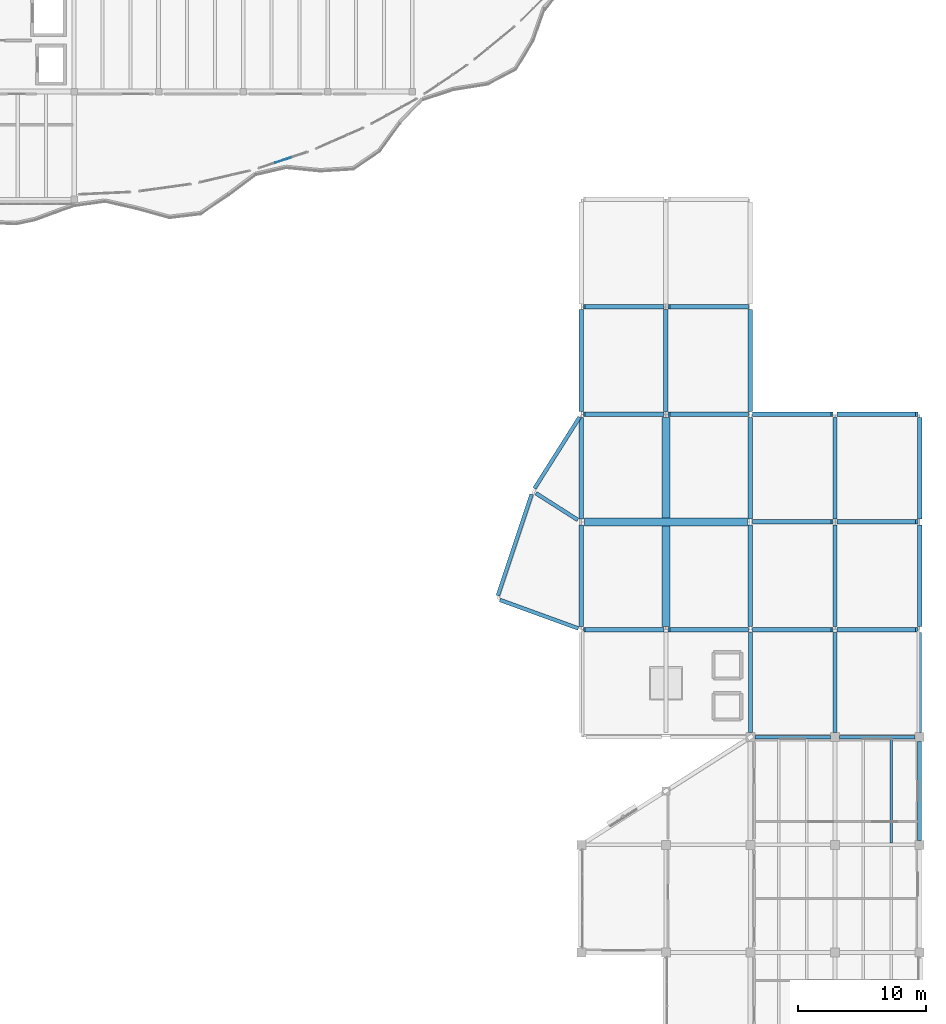
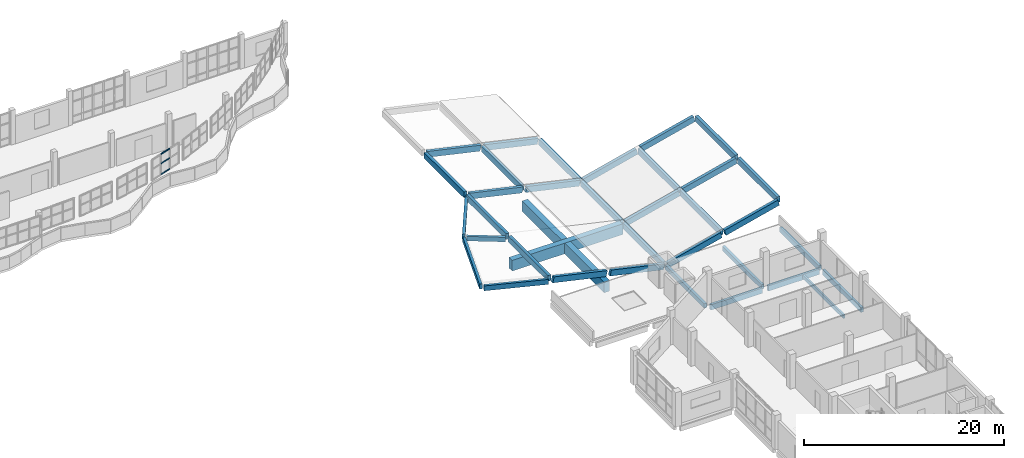
# One storey, part 20 of 47: 36 beams, 3 members, 1 element without a shape of its own.
"""IFC4 building model written with IfcOpenShell, lengths in metres."""

from ifc_helpers import new_model, si_unit, direction, frame, origin, origin_2d, place, context, subcontext, project, spatial, rectangle, extrude, material, material_profile, profile_set, type_object, element, aggregate, save


model = new_model("IFC4")

# Units and contexts
model_context = context("Model", 3, precision=1e-05, world=origin(), true_north=direction((0.0, 1.0)))
body_context = subcontext(model_context, "Body", "Model", "MODEL_VIEW")
ifc_project = project(units=[si_unit("LENGTHUNIT", "METRE"), si_unit("AREAUNIT", "SQUARE_METRE"), si_unit("VOLUMEUNIT", "CUBIC_METRE"), si_unit("PLANEANGLEUNIT", "RADIAN"), si_unit("MASSUNIT", "GRAM", prefix="KILO")], contexts=[model_context])

# Site, building, storey
site_placement = place(None, origin())
site = spatial("IfcSite", under=ifc_project, at=site_placement, CompositionType="ELEMENT")
building_placement = place(site_placement, origin())
building = spatial("IfcBuilding", under=site, at=building_placement, Name="Qaldarim Faculty of Natural and Applied Sciences", CompositionType="ELEMENT")
storey_placement = place(building_placement, frame((0.0, 0.0, 22.800048828125)))
storey = spatial("IfcBuildingStorey", under=building, at=storey_placement, Name="L05", CompositionType="ELEMENT", Elevation=22.800048828125)

# Beams
ifc_material_1 = material(Name="Concrete C40/50", Category="concrete")
ifc_material_profile_1 = material_profile(ifc_material_1, rectangle(XDim=0.300048828125, YDim=0.550048828125, at=origin_2d()), Name="RC-B300x550")
ifc_profile_set_1 = profile_set([ifc_material_profile_1], Name="Concrete C40/50")
beam_type_1 = type_object("IfcBeamType", Name="FloorBeam-RC300x550", PredefinedType="BEAM", material=ifc_profile_set_1)
for number, where, z_axis, x_axis, name in (
    (1, (165.0, 59.14990234375, -0.53515625), (0.0, 1.0, 0.0), (-1.0, 0.0, 0.0), "Beam RC-B300x550 L04 X26/Y08-Y09"),
    (2, (171.60009765625, 59.14990234375, -0.53515625), (0.0, 1.0, 0.0), (-1.0, 0.0, 0.0), "Beam RC-B300x550 L04 X27/Y08-Y09"),
):
    element("IfcBeam", number, at=place(storey_placement, frame(where, z_axis=z_axis, x_axis=x_axis)), inside=storey, type_object=beam_type_1, Name=name, PredefinedType="BEAM", context=body_context, shape_type="SweptSolid", body=[
        extrude(rectangle(XDim=0.300048828125, YDim=0.550048828125, at=origin_2d()), origin(), (0.0, 0.0, 1.0), 7.8251953125),
    ])
beam_1_placement = place(storey_placement, frame((148.260009765625, 77.840087890625, 2.264892578125), z_axis=(0.843013576654, -0.537892284363, 0.0), x_axis=(0.537892284363, 0.843013576654, 0.0)))
element("IfcBeam", 3, at=beam_1_placement, inside=storey, type_object=beam_type_1, Name="Learning Commons gallery prow roof tie rafter L05", PredefinedType="BEAM", context=body_context, shape_type="SweptSolid", body=[
    extrude(rectangle(XDim=0.300048828125, YDim=0.550048828125, at=origin_2d()), origin(), (0.0, 0.0, 1.0), 3.8671875),
])
ifc_material_profile_2 = material_profile(ifc_material_1, rectangle(XDim=0.199951171875, YDim=0.449951171875, at=origin_2d()), Name="RC-J200x450")
ifc_profile_set_2 = profile_set([ifc_material_profile_2], Name="Concrete C40/50")
beam_type_2 = type_object("IfcBeamType", Name="LabJoist-RC200x450", PredefinedType="JOIST", material=ifc_profile_set_2)
beam_2_placement = place(storey_placement, frame((176.0, 50.550048828125, -0.485107421875), z_axis=(0.0, 1.0, 0.0), x_axis=(-1.0, 0.0, 0.0)))
element("IfcBeam", 4, at=beam_2_placement, inside=storey, type_object=beam_type_2, Name="Laboratory joist L04 bay X27Y07-2", PredefinedType="JOIST", context=body_context, shape_type="SweptSolid", body=[
    extrude(rectangle(XDim=0.199951171875, YDim=0.449951171875, at=origin_2d()), origin(), (0.0, 0.0, 1.0), 8.099853515625),
])
ifc_material_profile_3 = material_profile(ifc_material_1, rectangle(XDim=0.300048828125, YDim=0.64990234375, at=origin_2d()), Name="RC-B300x650")
ifc_profile_set_3 = profile_set([ifc_material_profile_3], Name="Concrete C40/50")
beam_type_3 = type_object("IfcBeamType", Name="PrimaryBeam-RC300x650", PredefinedType="BEAM", material=ifc_profile_set_3)
beam_3_placement = place(storey_placement, frame((165.35009765625, 58.800048828125, -0.5849609375), z_axis=(1.0, 0.0, 0.0), x_axis=(0.0, 1.0, 0.0)))
element("IfcBeam", 5, at=beam_3_placement, inside=storey, type_object=beam_type_3, Name="Beam RC-B300x650 L04 X26-X27/Y08", PredefinedType="BEAM", context=body_context, shape_type="SweptSolid", body=[
    extrude(rectangle(XDim=0.300048828125, YDim=0.64990234375, at=origin_2d()), origin(), (0.0, 0.0, 1.0), 5.89990234375),
])
beam_4_placement = place(storey_placement, frame((171.949951171875, 58.800048828125, -0.5849609375), z_axis=(1.0, 0.0, 0.0), x_axis=(0.0, 1.0, 0.0)))
element("IfcBeam", 6, at=beam_4_placement, inside=storey, type_object=beam_type_3, Name="Beam RC-B300x650 L04 X27-X28/Y08", PredefinedType="BEAM", context=body_context, shape_type="SweptSolid", body=[
    extrude(rectangle(XDim=0.300048828125, YDim=0.64990234375, at=origin_2d()), origin(), (0.0, 0.0, 1.0), 5.900146484375),
])
ifc_material_profile_4 = material_profile(ifc_material_1, rectangle(XDim=0.35009765625, YDim=0.699951171875, at=origin_2d()), Name="RC-B350x700")
ifc_profile_set_4 = profile_set([ifc_material_profile_4], Name="Concrete C40/50")
beam_type_4 = type_object("IfcBeamType", Name="PrimaryGirder-RC350x700", PredefinedType="BEAM", material=ifc_profile_set_4)
beam_5_placement = place(storey_placement, frame((152.02490234375, 67.199951171875, 2.3798828125), z_axis=(0.975568062803, 0.0, -0.219697416549), x_axis=(0.0, 1.0, 0.0)))
element("IfcBeam", 7, at=beam_5_placement, inside=storey, type_object=beam_type_4, Name="Commons folded roof rafter X24-X25/Y09", PredefinedType="BEAM", context=body_context, shape_type="SweptSolid", body=[
    extrude(rectangle(XDim=0.35009765625, YDim=0.699951171875, at=origin_2d()), origin(), (0.0, 0.0, 1.0), 6.30419921875),
])
beam_6_placement = place(storey_placement, frame((158.625, 67.199951171875, 0.89501953125), z_axis=(0.97556619347, 0.0, -0.219705717172), x_axis=(0.0, 1.0, 0.0)))
element("IfcBeam", 8, at=beam_6_placement, inside=storey, type_object=beam_type_4, Name="Commons folded roof rafter X25-X26/Y09", PredefinedType="BEAM", context=body_context, shape_type="SweptSolid", body=[
    extrude(rectangle(XDim=0.35009765625, YDim=0.699951171875, at=origin_2d()), origin(), (0.0, 0.0, 1.0), 6.303955078125),
])
beam_7_placement = place(storey_placement, frame((165.22509765625, 67.199951171875, -0.485107421875), z_axis=(0.970047285074, 0.0, 0.242916168092), x_axis=(0.0, 1.0, 0.0)))
element("IfcBeam", 9, at=beam_7_placement, inside=storey, type_object=beam_type_4, Name="Commons folded roof rafter X26-X27/Y09", PredefinedType="BEAM", context=body_context, shape_type="SweptSolid", body=[
    extrude(rectangle(XDim=0.35009765625, YDim=0.699951171875, at=origin_2d()), origin(), (0.0, 0.0, 1.0), 6.33984375),
])
beam_8_placement = place(storey_placement, frame((171.824951171875, 67.199951171875, 1.1650390625), z_axis=(0.97005863038, 0.0, 0.242870857918), x_axis=(0.0, 1.0, 0.0)))
element("IfcBeam", 10, at=beam_8_placement, inside=storey, type_object=beam_type_4, Name="Commons folded roof rafter X27-X28/Y09", PredefinedType="BEAM", context=body_context, shape_type="SweptSolid", body=[
    extrude(rectangle(XDim=0.35009765625, YDim=0.699951171875, at=origin_2d()), origin(), (0.0, 0.0, 1.0), 6.340087890625),
])
beam_9_placement = place(storey_placement, frame((165.22509765625, 75.60009765625, -0.485107421875), z_axis=(0.970047285074, 0.0, 0.242916168092), x_axis=(0.0, 1.0, 0.0)))
element("IfcBeam", 11, at=beam_9_placement, inside=storey, type_object=beam_type_4, Name="Commons folded roof rafter X26-X27/Y10", PredefinedType="BEAM", context=body_context, shape_type="SweptSolid", body=[
    extrude(rectangle(XDim=0.35009765625, YDim=0.699951171875, at=origin_2d()), origin(), (0.0, 0.0, 1.0), 6.33984375),
])
beam_10_placement = place(storey_placement, frame((171.824951171875, 75.60009765625, 1.1650390625), z_axis=(0.97005863038, 0.0, 0.242870857918), x_axis=(0.0, 1.0, 0.0)))
element("IfcBeam", 12, at=beam_10_placement, inside=storey, type_object=beam_type_4, Name="Commons folded roof rafter X27-X28/Y10", PredefinedType="BEAM", context=body_context, shape_type="SweptSolid", body=[
    extrude(rectangle(XDim=0.35009765625, YDim=0.699951171875, at=origin_2d()), origin(), (0.0, 0.0, 1.0), 6.340087890625),
])
beam_11_placement = place(storey_placement, frame((152.02490234375, 84.0, 2.3798828125), z_axis=(0.975568062803, 0.0, -0.219697416549), x_axis=(0.0, 1.0, 0.0)))
element("IfcBeam", 13, at=beam_11_placement, inside=storey, type_object=beam_type_4, Name="Commons folded roof rafter X24-X25/Y11", PredefinedType="BEAM", context=body_context, shape_type="SweptSolid", body=[
    extrude(rectangle(XDim=0.35009765625, YDim=0.699951171875, at=origin_2d()), origin(), (0.0, 0.0, 1.0), 6.30419921875),
])
beam_12_placement = place(storey_placement, frame((158.625, 84.0, 0.89501953125), z_axis=(0.97556619347, 0.0, -0.219705717172), x_axis=(0.0, 1.0, 0.0)))
element("IfcBeam", 14, at=beam_12_placement, inside=storey, type_object=beam_type_4, Name="Commons folded roof rafter X25-X26/Y11", PredefinedType="BEAM", context=body_context, shape_type="SweptSolid", body=[
    extrude(rectangle(XDim=0.35009765625, YDim=0.699951171875, at=origin_2d()), origin(), (0.0, 0.0, 1.0), 6.303955078125),
])
beam_13_placement = place(storey_placement, frame((165.22509765625, 84.0, -0.485107421875), z_axis=(0.970047285074, 0.0, 0.242916168092), x_axis=(0.0, 1.0, 0.0)))
element("IfcBeam", 15, at=beam_13_placement, inside=storey, type_object=beam_type_4, Name="Commons folded roof rafter X26-X27/Y11", PredefinedType="BEAM", context=body_context, shape_type="SweptSolid", body=[
    extrude(rectangle(XDim=0.35009765625, YDim=0.699951171875, at=origin_2d()), origin(), (0.0, 0.0, 1.0), 6.33984375),
])
beam_14_placement = place(storey_placement, frame((171.824951171875, 84.0, 1.1650390625), z_axis=(0.97005863038, 0.0, 0.242870857918), x_axis=(0.0, 1.0, 0.0)))
element("IfcBeam", 16, at=beam_14_placement, inside=storey, type_object=beam_type_4, Name="Commons folded roof rafter X27-X28/Y11", PredefinedType="BEAM", context=body_context, shape_type="SweptSolid", body=[
    extrude(rectangle(XDim=0.35009765625, YDim=0.699951171875, at=origin_2d()), origin(), (0.0, 0.0, 1.0), 6.340087890625),
])
beam_15_placement = place(storey_placement, frame((152.02490234375, 92.39990234375, 2.3798828125), z_axis=(0.975568062803, 0.0, -0.219697416549), x_axis=(0.0, 1.0, 0.0)))
element("IfcBeam", 17, at=beam_15_placement, inside=storey, type_object=beam_type_4, Name="Commons folded roof rafter X24-X25/Y12", PredefinedType="BEAM", context=body_context, shape_type="SweptSolid", body=[
    extrude(rectangle(XDim=0.35009765625, YDim=0.699951171875, at=origin_2d()), origin(), (0.0, 0.0, 1.0), 6.30419921875),
])
beam_16_placement = place(storey_placement, frame((158.625, 92.39990234375, 0.89501953125), z_axis=(0.97556619347, 0.0, -0.219705717172), x_axis=(0.0, 1.0, 0.0)))
element("IfcBeam", 18, at=beam_16_placement, inside=storey, type_object=beam_type_4, Name="Commons folded roof rafter X25-X26/Y12", PredefinedType="BEAM", context=body_context, shape_type="SweptSolid", body=[
    extrude(rectangle(XDim=0.35009765625, YDim=0.699951171875, at=origin_2d()), origin(), (0.0, 0.0, 1.0), 6.303955078125),
])
for number, where, z_axis, x_axis, name in (
    (19, (151.800048828125, 67.425048828125, 2.43505859375), (0.0, 0.999999207337, -0.001259096751), (-1.0, 0.0, 0.0), "Commons roof ridge/eave beam X24/Y09-Y10"),
    (20, (151.800048828125, 75.824951171875, 2.43505859375), (0.0, 0.999999207337, -0.001259096751), (-1.0, 0.0, 0.0), "Commons roof ridge/eave beam X24/Y10-Y11"),
    (21, (151.800048828125, 84.22509765625, 2.43505859375), (0.0, 0.999999207337, -0.001259096751), (-1.0, 0.0, 0.0), "Commons roof ridge/eave beam X24/Y11-Y12"),
    (22, (158.39990234375, 84.22509765625, 0.949951171875), (0.0, 0.999999207337, -0.001259096751), (-1.0, 0.0, 0.0), "Commons roof ridge/eave beam X25/Y11-Y12"),
    (23, (165.0, 67.425048828125, -0.53515625), (0.0, 0.999999207337, -0.001259096751), (-1.0, 0.0, 0.0), "Commons roof ridge/eave beam X26/Y09-Y10"),
    (24, (165.0, 75.824951171875, -0.53515625), (0.0, 0.999999207337, -0.001259096751), (-1.0, 0.0, 0.0), "Commons roof ridge/eave beam X26/Y10-Y11"),
    (25, (165.0, 84.22509765625, -0.53515625), (0.0, 0.999999207337, -0.001259096751), (-1.0, 0.0, 0.0), "Commons roof ridge/eave beam X26/Y11-Y12"),
    (26, (171.60009765625, 67.425048828125, 1.114990234375), (0.0, 0.999999207337, -0.001259096751), (-1.0, 0.0, 0.0), "Commons roof ridge/eave beam X27/Y09-Y10"),
    (27, (171.60009765625, 75.824951171875, 1.114990234375), (0.0, 0.999999207337, -0.001259096751), (-1.0, 0.0, 0.0), "Commons roof ridge/eave beam X27/Y10-Y11"),
    (28, (178.199951171875, 67.425048828125, 2.764892578125), (0.0, 0.999999207337, -0.001259096751), (-1.0, 0.0, 0.0), "Commons roof ridge/eave beam X28/Y09-Y10"),
    (29, (178.199951171875, 75.824951171875, 2.764892578125), (0.0, 0.999999207337, -0.001259096751), (-1.0, 0.0, 0.0), "Commons roof ridge/eave beam X28/Y10-Y11"),
):
    element("IfcBeam", number, at=place(storey_placement, frame(where, z_axis=z_axis, x_axis=x_axis)), inside=storey, type_object=beam_type_4, Name=name, PredefinedType="BEAM", context=body_context, shape_type="SweptSolid", body=[
        extrude(rectangle(XDim=0.35009765625, YDim=0.699951171875, at=origin_2d()), origin(), (0.0, 0.0, 1.0), 7.949951171875),
    ])
ifc_material_2 = material(Name="Precast concrete C40/50", Category="concrete")
ifc_material_profile_5 = material_profile(ifc_material_2, rectangle(XDim=0.300048828125, YDim=0.60009765625, at=origin_2d()), Name="RC-SP300x600")
ifc_profile_set_5 = profile_set([ifc_material_profile_5], Name="Precast concrete C40/50")
beam_type_5 = type_object("IfcBeamType", Name="SpandrelBeam-RC300x600", PredefinedType="SPANDREL", material=ifc_profile_set_5)
beam_17_placement = place(storey_placement, frame((178.199951171875, 50.75, -0.56005859375), z_axis=(0.0, 1.0, 0.0), x_axis=(-1.0, 0.0, 0.0)))
element("IfcBeam", 30, at=beam_17_placement, inside=storey, type_object=beam_type_5, Name="Beam RC-SP300x600 L04 X28/Y07-Y08", PredefinedType="SPANDREL", context=body_context, shape_type="SweptSolid", body=[
    extrude(rectangle(XDim=0.300048828125, YDim=0.60009765625, at=origin_2d()), origin(), (0.0, 0.0, 1.0), 7.699951171875),
])
beam_18_placement = place(storey_placement, frame((178.199951171875, 59.14990234375, -0.56005859375), z_axis=(0.0, 1.0, 0.0), x_axis=(-1.0, 0.0, 0.0)))
element("IfcBeam", 31, at=beam_18_placement, inside=storey, type_object=beam_type_5, Name="Beam RC-SP300x600 L04 X28/Y08-Y09", PredefinedType="SPANDREL", context=body_context, shape_type="SweptSolid", body=[
    extrude(rectangle(XDim=0.300048828125, YDim=0.60009765625, at=origin_2d()), origin(), (0.0, 0.0, 1.0), 7.8251953125),
])
beam_19_placement = place(storey_placement, frame((151.554931640625, 67.2900390625, 2.239990234375), z_axis=(-0.939882210861, 0.341498798983, 0.0), x_axis=(-0.341498798983, -0.939882210861, 0.0)))
element("IfcBeam", 32, at=beam_19_placement, inside=storey, type_object=beam_type_5, Name="Learning Commons angled prow spandrel L04 1", PredefinedType="SPANDREL", context=body_context, shape_type="SweptSolid", body=[
    extrude(rectangle(XDim=0.300048828125, YDim=0.60009765625, at=origin_2d()), origin(), (0.0, 0.0, 1.0), 6.500732421875),
])
beam_20_placement = place(storey_placement, frame((145.280029296875, 69.844970703125, 2.239990234375), z_axis=(0.316579075961, 0.948566122452, 0.0), x_axis=(-0.948566122452, 0.316579075961, 0.0)))
element("IfcBeam", 33, at=beam_20_placement, inside=storey, type_object=beam_type_5, Name="Learning Commons angled prow spandrel L04 2", PredefinedType="SPANDREL", context=body_context, shape_type="SweptSolid", body=[
    extrude(rectangle(XDim=0.300048828125, YDim=0.60009765625, at=origin_2d()), origin(), (0.0, 0.0, 1.0), 8.3388671875),
])
beam_21_placement = place(storey_placement, frame((148.139892578125, 78.219970703125, 2.239990234375), z_axis=(0.534905556702, 0.844911856592, 0.0), x_axis=(-0.844911856592, 0.534905556702, 0.0)))
element("IfcBeam", 34, at=beam_21_placement, inside=storey, type_object=beam_type_5, Name="Learning Commons angled prow spandrel L04 3", PredefinedType="SPANDREL", context=body_context, shape_type="SweptSolid", body=[
    extrude(rectangle(XDim=0.300048828125, YDim=0.60009765625, at=origin_2d()), origin(), (0.0, 0.0, 1.0), 6.58056640625),
])
ifc_material_3 = material(Name="Concrete C50/60", Category="concrete")
ifc_material_profile_6 = material_profile(ifc_material_3, rectangle(XDim=0.64990234375, YDim=1.300048828125, at=origin_2d()), Name="RC-TG650x1300")
ifc_profile_set_6 = profile_set([ifc_material_profile_6], Name="Concrete C50/60")
beam_type_6 = type_object("IfcBeamType", Name="TransferGirder-RC650x1300", PredefinedType="BEAM", material=ifc_profile_set_6)
beam_22_placement = place(storey_placement, frame((152.02490234375, 75.60009765625, -0.91015625), z_axis=(1.0, 0.0, 0.0), x_axis=(0.0, 1.0, 0.0)))
element("IfcBeam", 35, at=beam_22_placement, inside=storey, type_object=beam_type_6, Name="Long-span girder L04 Y10 X24-X26", PredefinedType="BEAM", context=body_context, shape_type="SweptSolid", body=[
    extrude(rectangle(XDim=0.64990234375, YDim=1.300048828125, at=origin_2d()), origin(), (0.0, 0.0, 1.0), 12.75),
])
beam_23_placement = place(storey_placement, frame((158.39990234375, 67.425048828125, -0.91015625), z_axis=(0.0, 1.0, 0.0), x_axis=(-1.0, 0.0, 0.0)))
element("IfcBeam", 36, at=beam_23_placement, inside=storey, type_object=beam_type_6, Name="Long-span girder L04 X25 Y09-Y11", PredefinedType="BEAM", context=body_context, shape_type="SweptSolid", body=[
    extrude(rectangle(XDim=0.64990234375, YDim=1.300048828125, at=origin_2d()), origin(), (0.0, 0.0, 1.0), 16.349853515625),
])

# Curtain wall, members
ifc_material_4 = material(Name="Anodised aluminium AW-6063", Category="aluminium")
curtain_wall_type = type_object("IfcCurtainWallType", Name="CurtainWallSystem-M1400", PredefinedType="USERDEFINED", material=ifc_material_4)
curtain_wall_placement = place(storey_placement, origin())
curtain_wall = element("IfcCurtainWall", 37, at=curtain_wall_placement, inside=storey, type_object=curtain_wall_type, Name="Curtain wall CW-V4ARC-L05-06", ObjectType="STICK CURTAIN WALL", PredefinedType="USERDEFINED")
ifc_material_profile_7 = material_profile(ifc_material_4, rectangle(XDim=0.06005859375, YDim=0.1201171875, at=origin_2d()), Name="ALU-T60x120")
ifc_profile_set_7 = profile_set([ifc_material_profile_7], Name="Anodised aluminium AW-6063")
member_type = type_object("IfcMemberType", Name="Transom-ALU60x120", PredefinedType="USERDEFINED", material=ifc_profile_set_7)
member_1_placement = place(storey_placement, frame((127.90185546875, 103.646240234375, 1.47998046875), z_axis=(0.948607427677, 0.316455286187, 0.0), x_axis=(-0.316455286187, 0.948607427677, 0.0)))
member_1 = element("IfcMember", 38, at=member_1_placement, type_object=member_type, Name="Transom 2-1 of CW-V4ARC-L05-06", ObjectType="TRANSOM", PredefinedType="USERDEFINED", context=body_context, shape_type="SweptSolid", body=[
    extrude(rectangle(XDim=0.06005859375, YDim=0.1201171875, at=origin_2d()), origin(), (0.0, 0.0, 1.0), 1.28759765625),
])
member_2_placement = place(storey_placement, frame((127.90185546875, 103.646240234375, 2.800048828125), z_axis=(0.948607427677, 0.316455286187, 0.0), x_axis=(-0.316455286187, 0.948607427677, 0.0)))
member_2 = element("IfcMember", 39, at=member_2_placement, type_object=member_type, Name="Transom 2-2 of CW-V4ARC-L05-06", ObjectType="TRANSOM", PredefinedType="USERDEFINED", context=body_context, shape_type="SweptSolid", body=[
    extrude(rectangle(XDim=0.06005859375, YDim=0.1201171875, at=origin_2d()), origin(), (0.0, 0.0, 1.0), 1.28759765625),
])
member_3_placement = place(storey_placement, frame((127.90185546875, 103.646240234375, 3.929931640625), z_axis=(0.948607427677, 0.316455286187, 0.0), x_axis=(-0.316455286187, 0.948607427677, 0.0)))
member_3 = element("IfcMember", 40, at=member_3_placement, type_object=member_type, Name="Transom 2-3 of CW-V4ARC-L05-06", ObjectType="TRANSOM", PredefinedType="USERDEFINED", context=body_context, shape_type="SweptSolid", body=[
    extrude(rectangle(XDim=0.06005859375, YDim=0.1201171875, at=origin_2d()), origin(), (0.0, 0.0, 1.0), 1.28759765625),
])
aggregate(curtain_wall, [member_1, member_2, member_3])

save(model, "model.ifc")
